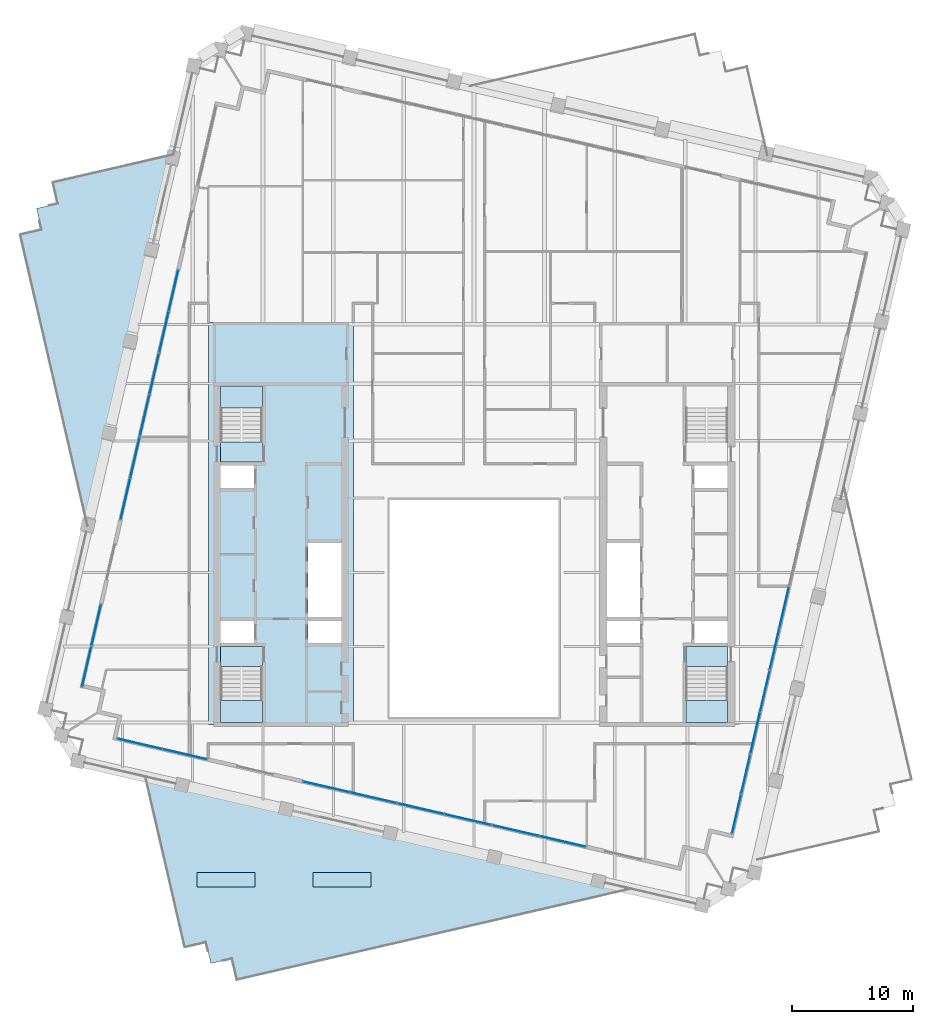
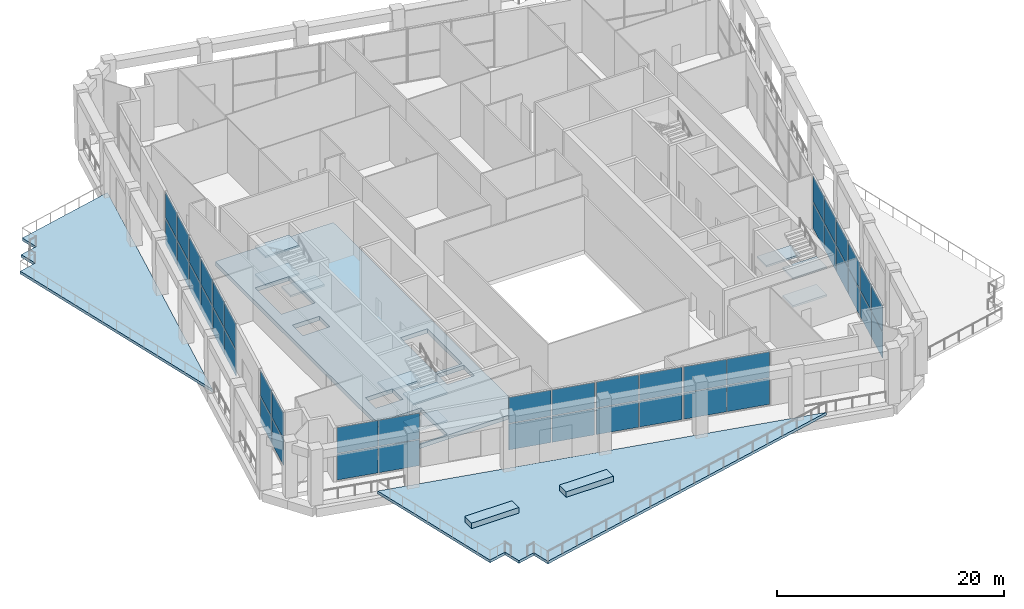
# One storey, part 10 of 21: 44 plates, 14 slabs, 14 elements without a shape of their own.
"""IFC4 building model written with IfcOpenShell, lengths in metres."""

import ifcopenshell
import ifcopenshell.guid

model = None  # the IFC model being written
_history = None  # IfcOwnerHistory: only IFC2X3 demands one
_inside = {}  # id of a spatial element -> (the spatial element, [elements in it])
_under = {}  # id of a project, library or spatial element -> (it, [spatial elements below it])
_declared = {}  # id of a project -> (the project, [libraries it declares])
_typed = {}  # id of a type object -> (the type object, [elements of that type])
_made_of = {}  # id of a material, layer set ... -> (it, [elements and type objects made of it])


def new_model(schema):
    """Start an empty IFC model of exactly this schema.

    Asked for "IFC4X3", IfcOpenShell would pick the latest addendum, in which some entities
    have other attributes; the version numbers below select the first issue.
    IFC2X3 requires an IfcOwnerHistory on every rooted entity: one is made here for all.
    """
    global model, _history
    if schema == "IFC4X3":
        model = ifcopenshell.file(schema_version=(4, 3, 0, 0))
    else:
        model = ifcopenshell.file(schema=schema)
    _inside.clear()
    _under.clear()
    _declared.clear()
    _typed.clear()
    _made_of.clear()
    _history = None
    if model.schema == "IFC2X3":
        org = make("IfcOrganization", Name="unknown")
        user = make(
            "IfcPersonAndOrganization",
            ThePerson=make("IfcPerson", FamilyName="unknown"),
            TheOrganization=org,
        )
        app = make(
            "IfcApplication",
            ApplicationDeveloper=org,
            Version="unknown",
            ApplicationFullName="unknown",
            ApplicationIdentifier="unknown",
        )
        _history = make(
            "IfcOwnerHistory",
            OwningUser=user,
            OwningApplication=app,
            ChangeAction="ADDED",
            CreationDate=0,
        )
    return model


def make(cls, **values):
    """One entity of the class cls with the attributes given. An attribute that is None is left unset."""
    return model.create_entity(
        cls, **{name: value for name, value in values.items() if value is not None}
    )


def rooted(cls, **values):
    """An entity with a GlobalId (a new one), such as an element, a storey or a relation."""
    return make(cls, GlobalId=ifcopenshell.guid.new(), OwnerHistory=_history, **values)


def si_unit(unit_type, name, prefix=None):
    """IfcSIUnit, for example si_unit("LENGTHUNIT", "METRE", prefix="MILLI")."""
    return make("IfcSIUnit", UnitType=unit_type, Prefix=prefix, Name=name)


def assignment(units):
    """IfcUnitAssignment: the units of a project."""
    return None if units is None else make("IfcUnitAssignment", Units=units)


def point(xyz):
    """IfcCartesianPoint."""
    return None if xyz is None else make("IfcCartesianPoint", Coordinates=xyz)


def direction(xyz):
    """IfcDirection."""
    return None if xyz is None else make("IfcDirection", DirectionRatios=xyz)


def frame(location, z_axis=None, x_axis=None):
    """IfcAxis2Placement3D, a coordinate frame: its origin and axes. An axis left out is left unset."""
    return make(
        "IfcAxis2Placement3D",
        Location=point(location),
        Axis=direction(z_axis),
        RefDirection=direction(x_axis),
    )


def frame_2d(location, x_axis=None):
    """IfcAxis2Placement2D, a coordinate frame in the plane: its origin and x axis."""
    return make(
        "IfcAxis2Placement2D", Location=point(location), RefDirection=direction(x_axis)
    )


def origin():
    """The frame at (0, 0, 0) with its axes left unset."""
    return frame((0.0, 0.0, 0.0))


def origin_2d():
    """The frame at (0, 0) in the plane with its x axis left unset."""
    return frame_2d((0.0, 0.0))


def place(relative_to, where):
    """IfcLocalPlacement: puts the frame where relative to a parent placement (None: the world)."""
    return make(
        "IfcLocalPlacement", PlacementRelTo=relative_to, RelativePlacement=where
    )


def context(
    kind, dimensions, precision=None, world=None, true_north=None, identifier=None
):
    """IfcGeometricRepresentationContext, for example the 3D "Model" context."""
    return make(
        "IfcGeometricRepresentationContext",
        ContextIdentifier=identifier,
        ContextType=kind,
        CoordinateSpaceDimension=dimensions,
        Precision=precision,
        WorldCoordinateSystem=world,
        TrueNorth=true_north,
    )


def subcontext(parent, identifier, kind, view, scale=None):
    """IfcGeometricRepresentationSubContext, for example "Body" below "Model"."""
    return make(
        "IfcGeometricRepresentationSubContext",
        ContextIdentifier=identifier,
        ContextType=kind,
        ParentContext=parent,
        TargetScale=scale,
        TargetView=view,
    )


def project(units=None, contexts=None):
    """IfcProject with its units and contexts."""
    return rooted(
        "IfcProject",
        Name="project",
        RepresentationContexts=contexts,
        UnitsInContext=assignment(units),
    )


def spatial(cls, under=None, at=None, **own):
    """A site, building, storey or space (cls), placed at a placement, below another one or the project."""
    s = rooted(cls, ObjectPlacement=at, **own)
    if under is not None:
        _under.setdefault(under.id(), (under, []))[1].append(s)
    return s


def polyline(points):
    """IfcPolyline through the points."""
    return make("IfcPolyline", Points=[point(p) for p in points])


def profile(cls, at=None, kind="AREA", **sizes):
    """A parametric profile (cls). Its sizes go by their IFC names, for example OverallWidth=200.0."""
    return make(cls, ProfileType=kind, Position=at, **sizes)


def rectangle(**sizes):
    """IfcRectangleProfileDef."""
    return profile("IfcRectangleProfileDef", **sizes)


def outline(outer, holes=None, kind="AREA"):
    """IfcArbitraryClosedProfileDef: a profile drawn as a closed curve; with holes, ...WithVoids."""
    if holes is None:
        return make("IfcArbitraryClosedProfileDef", ProfileType=kind, OuterCurve=outer)
    return make(
        "IfcArbitraryProfileDefWithVoids",
        ProfileType=kind,
        OuterCurve=outer,
        InnerCurves=holes,
    )


def extrude(swept, where, along, depth):
    """IfcExtrudedAreaSolid: the profile swept, set in the frame where, extruded along a direction by depth."""
    return make(
        "IfcExtrudedAreaSolid",
        SweptArea=swept,
        Position=where,
        ExtrudedDirection=direction(along),
        Depth=depth,
    )


def shape(context_of_items, identifier, shape_type, items):
    """IfcShapeRepresentation: the items that make up one representation, for example the "Body"."""
    return make(
        "IfcShapeRepresentation",
        ContextOfItems=context_of_items,
        RepresentationIdentifier=identifier,
        RepresentationType=shape_type,
        Items=items,
    )


def material(Name=None, Category=None):
    """IfcMaterial."""
    return make("IfcMaterial", Name=Name, Category=Category)


def layer(
    of_material, thickness, ventilated=None, Name=None, Category=None, Priority=None
):
    """IfcMaterialLayer: one layer of a wall or slab, of a material (None: an air gap)."""
    return make(
        "IfcMaterialLayer",
        Material=of_material,
        LayerThickness=thickness,
        IsVentilated=ventilated,
        Name=Name,
        Category=Category,
        Priority=Priority,
    )


def layer_set(layers, Name=None):
    """IfcMaterialLayerSet."""
    return make("IfcMaterialLayerSet", MaterialLayers=layers, LayerSetName=Name)


def made_of(thing, what):
    """Note that an element or type object is made of a material, layer set ...; save() writes the relation."""
    if what is not None:
        _made_of.setdefault(what.id(), (what, []))[1].append(thing)
    return thing


def type_object(cls, material=None, **own):
    """A type object (cls), such as IfcWallType, which elements share."""
    return made_of(rooted(cls, **own), material)


def element(
    cls,
    number,
    at=None,
    inside=None,
    cuts=None,
    type_object=None,
    material=None,
    context=None,
    identifier="Body",
    shape_type=None,
    held_by="IfcProductDefinitionShape",
    body=None,
    shapes=None,
    **own,
):
    """One element of the class cls, such as IfcWall. Its Tag is "e" and its number.

    at: its placement. inside: the storey or other place that contains it. cuts: it is an
    opening in that element (IfcRelVoidsElement). A single representation is given by context,
    identifier, shape_type and body (its items); several are given by shapes. held_by: the class
    of the entity that holds the representations. save() writes the other relations.
    """
    e = rooted(cls, Tag="e%d" % number, ObjectPlacement=at, **own)
    if body is not None:
        shapes = [shape(context, identifier, shape_type, body)]
    if shapes is not None:
        e.Representation = make(held_by, Representations=shapes)
    if inside is not None:
        _inside.setdefault(inside.id(), (inside, []))[1].append(e)
    if cuts is not None:
        rooted(
            "IfcRelVoidsElement", RelatingBuildingElement=cuts, RelatedOpeningElement=e
        )
    if type_object is not None:
        _typed.setdefault(type_object.id(), (type_object, []))[1].append(e)
    return made_of(e, material)


def aggregate(whole, parts):
    """IfcRelAggregates: a whole, such as a stair, and the parts it consists of."""
    return rooted("IfcRelAggregates", RelatingObject=whole, RelatedObjects=parts)


def save(model, path):
    """Write the relations noted so far, then the file.

    IfcRelAggregates (storeys below a building ...), IfcRelContainedInSpatialStructure (elements
    in a storey), IfcRelDefinesByType, IfcRelAssociatesMaterial and IfcRelDeclares: one each for
    every whole, place, type object, material and project.
    """
    for whole, parts in _under.values():
        aggregate(whole, parts)
    for where, things in _inside.values():
        rooted(
            "IfcRelContainedInSpatialStructure",
            RelatedElements=things,
            RelatingStructure=where,
        )
    for kind, things in _typed.values():
        rooted("IfcRelDefinesByType", RelatedObjects=things, RelatingType=kind)
    for what, things in _made_of.values():
        rooted("IfcRelAssociatesMaterial", RelatedObjects=things, RelatingMaterial=what)
    for by, libraries in _declared.values():
        rooted("IfcRelDeclares", RelatingContext=by, RelatedDefinitions=libraries)
    model.write(path)


model = new_model("IFC4")

# Units and contexts
model_context = context("Model", 3, precision=1e-05, world=origin(), true_north=direction((0.0, 1.0)))
body_context = subcontext(model_context, "Body", "Model", "MODEL_VIEW")
ifc_project = project(units=[si_unit("LENGTHUNIT", "METRE"), si_unit("AREAUNIT", "SQUARE_METRE"), si_unit("VOLUMEUNIT", "CUBIC_METRE"), si_unit("PLANEANGLEUNIT", "RADIAN"), si_unit("MASSUNIT", "GRAM", prefix="KILO")], contexts=[model_context])

# Site, building, storey
site_placement = place(None, origin())
site = spatial("IfcSite", under=ifc_project, at=site_placement, CompositionType="ELEMENT")
building_placement = place(site_placement, origin())
building = spatial("IfcBuilding", under=site, at=building_placement, Name="Ogive Exchange Tower", CompositionType="ELEMENT")
storey_placement = place(building_placement, frame((0.0, 0.0, 237.0)))
storey = spatial("IfcBuildingStorey", under=building, at=storey_placement, Name="L51", CompositionType="ELEMENT", Elevation=237.0)

# Slab
ifc_material_1 = material(Name="Concrete C70/85", Category="concrete")
ifc_layer_1 = layer(ifc_material_1, 0.449951171875)
ifc_layer_set_1 = layer_set([ifc_layer_1], Name="Core floor slab 450")
slab_type_1 = type_object("IfcSlabType", Name="Core floor slab 450", PredefinedType="FLOOR", material=ifc_layer_set_1)
slab_1_placement = place(storey_placement, frame((0.0, 0.0, -0.449951171875)))
element("IfcSlab", 1, at=slab_1_placement, inside=storey, type_object=slab_type_1, Name="Core floor slab", PredefinedType="FLOOR", context=body_context, shape_type="SweptSolid", body=[
    extrude(outline(polyline([(-22.0, -2.60009765625), (-22.0, 30.699951171875), (-10.0, 30.699951171875), (-10.0, -2.60009765625), (-22.0, -2.60009765625)]), holes=[polyline([(-17.550048828125, 2.196044921875), (-21.0, 2.196044921875), (-21.0, -2.449951171875), (-17.550048828125, -2.449951171875), (-17.550048828125, 2.196044921875)]), polyline([(-18.25, 5.992919921875), (-21.0, 5.992919921875), (-21.0, 4.14990234375), (-18.25, 4.14990234375), (-18.25, 5.992919921875)]), polyline([(-11.0, 5.992919921875), (-13.75, 5.992919921875), (-13.75, 4.14990234375), (-11.0, 4.14990234375), (-11.0, 5.992919921875)]), polyline([(-13.75, 12.42138671875), (-13.75, 6.29296875), (-11.0, 6.29296875), (-11.0, 12.42138671875), (-13.75, 12.42138671875)]), polyline([(-18.25, 18.85009765625), (-21.0, 18.85009765625), (-21.0, 17.007080078125), (-18.25, 17.007080078125), (-18.25, 18.85009765625)]), polyline([(-21.0, 25.449951171875), (-21.0, 20.803955078125), (-17.550048828125, 20.803955078125), (-17.550048828125, 25.449951171875), (-21.0, 25.449951171875)])]), origin(), (0.0, 0.0, 1.0), 0.449951171875),
])

# Curtain wall, plates
ifc_material_2 = material(Name="Anodised aluminium and clear glass", Category="aluminium")
curtain_wall_type = type_object("IfcCurtainWallType", Name="Winter garden glazing", PredefinedType="NOTDEFINED", material=ifc_material_2)
curtain_wall_1_placement = place(storey_placement, origin())
curtain_wall_1 = element("IfcCurtainWall", 2, at=curtain_wall_1_placement, inside=storey, type_object=curtain_wall_type, Name="Winter garden glazing run G1", PredefinedType="NOTDEFINED")
ifc_material_3 = material(Name="Clear glass", Category="glass")
ifc_layer_2 = layer(ifc_material_3, 0.035888671875)
ifc_layer_set_2 = layer_set([ifc_layer_2], Name="Laminated clear glass panel 36")
plate_type = type_object("IfcPlateType", Name="Laminated clear glass panel 36", PredefinedType="CURTAIN_PANEL", material=ifc_layer_set_2)
plate_1_placement = place(storey_placement, frame((-27.708740234375, -4.19873046875, 0.080078125), z_axis=(0.0, 0.0, 1.0), x_axis=(0.974369444232, -0.224953742238, 0.0)))
plate_1 = element("IfcPlate", 3, at=plate_1_placement, type_object=plate_type, Name="G1 panel 1.1", PredefinedType="CURTAIN_PANEL", context=body_context, shape_type="SweptSolid", body=[
    extrude(rectangle(XDim=3.755126953125, YDim=0.035888671875, at=origin_2d()), origin(), (0.0, 0.0, 1.0), 2.780029296875),
])
plate_2_placement = place(storey_placement, frame((-27.708740234375, -4.19873046875, 2.93994140625), z_axis=(0.0, 0.0, 1.0), x_axis=(0.974369444232, -0.224953742238, 0.0)))
plate_2 = element("IfcPlate", 4, at=plate_2_placement, type_object=plate_type, Name="G1 panel 1.2", PredefinedType="CURTAIN_PANEL", context=body_context, shape_type="SweptSolid", body=[
    extrude(rectangle(XDim=3.755126953125, YDim=0.035888671875, at=origin_2d()), origin(), (0.0, 0.0, 1.0), 2.780029296875),
])
plate_3_placement = place(storey_placement, frame((-23.971923828125, -5.061279296875, 0.080078125), z_axis=(0.0, 0.0, 1.0), x_axis=(0.974369444232, -0.224953742238, 0.0)))
plate_3 = element("IfcPlate", 5, at=plate_3_placement, type_object=plate_type, Name="G1 panel 2.1", PredefinedType="CURTAIN_PANEL", context=body_context, shape_type="SweptSolid", body=[
    extrude(rectangle(XDim=3.755126953125, YDim=0.035888671875, at=origin_2d()), origin(), (0.0, 0.0, 1.0), 2.780029296875),
])
plate_4_placement = place(storey_placement, frame((-23.971923828125, -5.061279296875, 2.93994140625), z_axis=(0.0, 0.0, 1.0), x_axis=(0.974369444232, -0.224953742238, 0.0)))
plate_4 = element("IfcPlate", 6, at=plate_4_placement, type_object=plate_type, Name="G1 panel 2.2", PredefinedType="CURTAIN_PANEL", context=body_context, shape_type="SweptSolid", body=[
    extrude(rectangle(XDim=3.755126953125, YDim=0.035888671875, at=origin_2d()), origin(), (0.0, 0.0, 1.0), 2.780029296875),
])
aggregate(curtain_wall_1, [plate_1, plate_2, plate_3, plate_4])

curtain_wall_2_placement = place(storey_placement, origin())
curtain_wall_2 = element("IfcCurtainWall", 7, at=curtain_wall_2_placement, inside=storey, type_object=curtain_wall_type, Name="Winter garden glazing run G3", PredefinedType="NOTDEFINED")
plate_5_placement = place(storey_placement, frame((-12.24072265625, -7.769775390625, 0.080078125), z_axis=(0.0, 0.0, 1.0), x_axis=(0.974368369632, -0.224958396731, 0.0)))
plate_5 = element("IfcPlate", 8, at=plate_5_placement, type_object=plate_type, Name="G3 panel 1.1", PredefinedType="CURTAIN_PANEL", context=body_context, shape_type="SweptSolid", body=[
    extrude(rectangle(XDim=3.905029296875, YDim=0.035888671875, at=origin_2d()), origin(), (0.0, 0.0, 1.0), 2.780029296875),
])
plate_6_placement = place(storey_placement, frame((-12.24072265625, -7.769775390625, 2.93994140625), z_axis=(0.0, 0.0, 1.0), x_axis=(0.974368369632, -0.224958396731, 0.0)))
plate_6 = element("IfcPlate", 9, at=plate_6_placement, type_object=plate_type, Name="G3 panel 1.2", PredefinedType="CURTAIN_PANEL", context=body_context, shape_type="SweptSolid", body=[
    extrude(rectangle(XDim=3.905029296875, YDim=0.035888671875, at=origin_2d()), origin(), (0.0, 0.0, 1.0), 2.780029296875),
])
plate_7_placement = place(storey_placement, frame((-8.357666015625, -8.666259765625, 0.080078125), z_axis=(0.0, 0.0, 1.0), x_axis=(0.974368369632, -0.224958396731, 0.0)))
plate_7 = element("IfcPlate", 10, at=plate_7_placement, type_object=plate_type, Name="G3 panel 2.1", PredefinedType="CURTAIN_PANEL", context=body_context, shape_type="SweptSolid", body=[
    extrude(rectangle(XDim=3.905029296875, YDim=0.035888671875, at=origin_2d()), origin(), (0.0, 0.0, 1.0), 2.780029296875),
])
plate_8_placement = place(storey_placement, frame((-8.357666015625, -8.666259765625, 2.93994140625), z_axis=(0.0, 0.0, 1.0), x_axis=(0.974368369632, -0.224958396731, 0.0)))
plate_8 = element("IfcPlate", 11, at=plate_8_placement, type_object=plate_type, Name="G3 panel 2.2", PredefinedType="CURTAIN_PANEL", context=body_context, shape_type="SweptSolid", body=[
    extrude(rectangle(XDim=3.905029296875, YDim=0.035888671875, at=origin_2d()), origin(), (0.0, 0.0, 1.0), 2.780029296875),
])
aggregate(curtain_wall_2, [plate_5, plate_6, plate_7, plate_8])

curtain_wall_3_placement = place(storey_placement, origin())
curtain_wall_3 = element("IfcCurtainWall", 12, at=curtain_wall_3_placement, inside=storey, type_object=curtain_wall_type, Name="Winter garden glazing run G4", PredefinedType="NOTDEFINED")
plate_9_placement = place(storey_placement, frame((-4.39697265625, -9.58056640625, 0.080078125), z_axis=(0.0, 0.0, 1.0), x_axis=(0.974371721058, -0.224943880116, 0.0)))
plate_9 = element("IfcPlate", 13, at=plate_9_placement, type_object=plate_type, Name="G4 panel 1.1", PredefinedType="CURTAIN_PANEL", context=body_context, shape_type="SweptSolid", body=[
    extrude(rectangle(XDim=3.905029296875, YDim=0.035888671875, at=origin_2d()), origin(), (0.0, 0.0, 1.0), 2.780029296875),
])
plate_10_placement = place(storey_placement, frame((-4.39697265625, -9.58056640625, 2.93994140625), z_axis=(0.0, 0.0, 1.0), x_axis=(0.974371721058, -0.224943880116, 0.0)))
plate_10 = element("IfcPlate", 14, at=plate_10_placement, type_object=plate_type, Name="G4 panel 1.2", PredefinedType="CURTAIN_PANEL", context=body_context, shape_type="SweptSolid", body=[
    extrude(rectangle(XDim=3.905029296875, YDim=0.035888671875, at=origin_2d()), origin(), (0.0, 0.0, 1.0), 2.780029296875),
])
plate_11_placement = place(storey_placement, frame((-0.51416015625, -10.47705078125, 0.080078125), z_axis=(0.0, 0.0, 1.0), x_axis=(0.974371721058, -0.224943880116, 0.0)))
plate_11 = element("IfcPlate", 15, at=plate_11_placement, type_object=plate_type, Name="G4 panel 2.1", PredefinedType="CURTAIN_PANEL", context=body_context, shape_type="SweptSolid", body=[
    extrude(rectangle(XDim=3.905029296875, YDim=0.035888671875, at=origin_2d()), origin(), (0.0, 0.0, 1.0), 2.780029296875),
])
plate_12_placement = place(storey_placement, frame((-0.51416015625, -10.47705078125, 2.93994140625), z_axis=(0.0, 0.0, 1.0), x_axis=(0.974371721058, -0.224943880116, 0.0)))
plate_12 = element("IfcPlate", 16, at=plate_12_placement, type_object=plate_type, Name="G4 panel 2.2", PredefinedType="CURTAIN_PANEL", context=body_context, shape_type="SweptSolid", body=[
    extrude(rectangle(XDim=3.905029296875, YDim=0.035888671875, at=origin_2d()), origin(), (0.0, 0.0, 1.0), 2.780029296875),
])
aggregate(curtain_wall_3, [plate_9, plate_10, plate_11, plate_12])

curtain_wall_4_placement = place(storey_placement, origin())
curtain_wall_4 = element("IfcCurtainWall", 17, at=curtain_wall_4_placement, inside=storey, type_object=curtain_wall_type, Name="Winter garden glazing run G5", PredefinedType="NOTDEFINED")
plate_13_placement = place(storey_placement, frame((3.44677734375, -11.391357421875, 0.080078125), z_axis=(0.0, 0.0, 1.0), x_axis=(0.974368998279, -0.224955673842, 0.0)))
plate_13 = element("IfcPlate", 18, at=plate_13_placement, type_object=plate_type, Name="G5 panel 1.1", PredefinedType="CURTAIN_PANEL", context=body_context, shape_type="SweptSolid", body=[
    extrude(rectangle(XDim=3.905029296875, YDim=0.035888671875, at=origin_2d()), origin(), (0.0, 0.0, 1.0), 2.780029296875),
])
plate_14_placement = place(storey_placement, frame((3.44677734375, -11.391357421875, 2.93994140625), z_axis=(0.0, 0.0, 1.0), x_axis=(0.974368998279, -0.224955673842, 0.0)))
plate_14 = element("IfcPlate", 19, at=plate_14_placement, type_object=plate_type, Name="G5 panel 1.2", PredefinedType="CURTAIN_PANEL", context=body_context, shape_type="SweptSolid", body=[
    extrude(rectangle(XDim=3.905029296875, YDim=0.035888671875, at=origin_2d()), origin(), (0.0, 0.0, 1.0), 2.780029296875),
])
plate_15_placement = place(storey_placement, frame((7.32958984375, -12.287841796875, 0.080078125), z_axis=(0.0, 0.0, 1.0), x_axis=(0.974368998279, -0.224955673842, 0.0)))
plate_15 = element("IfcPlate", 20, at=plate_15_placement, type_object=plate_type, Name="G5 panel 2.1", PredefinedType="CURTAIN_PANEL", context=body_context, shape_type="SweptSolid", body=[
    extrude(rectangle(XDim=3.905029296875, YDim=0.035888671875, at=origin_2d()), origin(), (0.0, 0.0, 1.0), 2.780029296875),
])
plate_16_placement = place(storey_placement, frame((7.32958984375, -12.287841796875, 2.93994140625), z_axis=(0.0, 0.0, 1.0), x_axis=(0.974368998279, -0.224955673842, 0.0)))
plate_16 = element("IfcPlate", 21, at=plate_16_placement, type_object=plate_type, Name="G5 panel 2.2", PredefinedType="CURTAIN_PANEL", context=body_context, shape_type="SweptSolid", body=[
    extrude(rectangle(XDim=3.905029296875, YDim=0.035888671875, at=origin_2d()), origin(), (0.0, 0.0, 1.0), 2.780029296875),
])
aggregate(curtain_wall_4, [plate_13, plate_14, plate_15, plate_16])

curtain_wall_5_placement = place(storey_placement, origin())
curtain_wall_5 = element("IfcCurtainWall", 22, at=curtain_wall_5_placement, inside=storey, type_object=curtain_wall_type, Name="Winter garden glazing run G7", PredefinedType="NOTDEFINED")
plate_17_placement = place(storey_placement, frame((21.74658203125, -9.998779296875, 0.080078125), z_axis=(0.0, 0.0, 1.0), x_axis=(0.224951677306, 0.974369920963, 0.0)))
plate_17 = element("IfcPlate", 23, at=plate_17_placement, type_object=plate_type, Name="G7 panel 1.1", PredefinedType="CURTAIN_PANEL", context=body_context, shape_type="SweptSolid", body=[
    extrude(rectangle(XDim=3.287109375, YDim=0.035888671875, at=origin_2d()), origin(), (0.0, 0.0, 1.0), 2.780029296875),
])
plate_18_placement = place(storey_placement, frame((21.74658203125, -9.998779296875, 2.93994140625), z_axis=(0.0, 0.0, 1.0), x_axis=(0.224951677306, 0.974369920963, 0.0)))
plate_18 = element("IfcPlate", 24, at=plate_18_placement, type_object=plate_type, Name="G7 panel 1.2", PredefinedType="CURTAIN_PANEL", context=body_context, shape_type="SweptSolid", body=[
    extrude(rectangle(XDim=3.287109375, YDim=0.035888671875, at=origin_2d()), origin(), (0.0, 0.0, 1.0), 2.780029296875),
])
plate_19_placement = place(storey_placement, frame((22.50390625, -6.718017578125, 0.080078125), z_axis=(0.0, 0.0, 1.0), x_axis=(0.224951677306, 0.974369920963, 0.0)))
plate_19 = element("IfcPlate", 25, at=plate_19_placement, type_object=plate_type, Name="G7 panel 2.1", PredefinedType="CURTAIN_PANEL", context=body_context, shape_type="SweptSolid", body=[
    extrude(rectangle(XDim=3.287109375, YDim=0.035888671875, at=origin_2d()), origin(), (0.0, 0.0, 1.0), 2.780029296875),
])
plate_20_placement = place(storey_placement, frame((22.50390625, -6.718017578125, 2.93994140625), z_axis=(0.0, 0.0, 1.0), x_axis=(0.224951677306, 0.974369920963, 0.0)))
plate_20 = element("IfcPlate", 26, at=plate_20_placement, type_object=plate_type, Name="G7 panel 2.2", PredefinedType="CURTAIN_PANEL", context=body_context, shape_type="SweptSolid", body=[
    extrude(rectangle(XDim=3.287109375, YDim=0.035888671875, at=origin_2d()), origin(), (0.0, 0.0, 1.0), 2.780029296875),
])
aggregate(curtain_wall_5, [plate_17, plate_18, plate_19, plate_20])

curtain_wall_6_placement = place(storey_placement, origin())
curtain_wall_6 = element("IfcCurtainWall", 27, at=curtain_wall_6_placement, inside=storey, type_object=curtain_wall_type, Name="Winter garden glazing run G8", PredefinedType="NOTDEFINED")
plate_21_placement = place(storey_placement, frame((23.29638671875, -3.2861328125, 0.080078125), z_axis=(0.0, 0.0, 1.0), x_axis=(0.224957031035, 0.974368684938, 0.0)))
plate_21 = element("IfcPlate", 28, at=plate_21_placement, type_object=plate_type, Name="G8 panel 1.1", PredefinedType="CURTAIN_PANEL", context=body_context, shape_type="SweptSolid", body=[
    extrude(rectangle(XDim=3.43701171875, YDim=0.035888671875, at=origin_2d()), origin(), (0.0, 0.0, 1.0), 2.780029296875),
])
plate_22_placement = place(storey_placement, frame((23.29638671875, -3.2861328125, 2.93994140625), z_axis=(0.0, 0.0, 1.0), x_axis=(0.224957031035, 0.974368684938, 0.0)))
plate_22 = element("IfcPlate", 29, at=plate_22_placement, type_object=plate_type, Name="G8 panel 1.2", PredefinedType="CURTAIN_PANEL", context=body_context, shape_type="SweptSolid", body=[
    extrude(rectangle(XDim=3.43701171875, YDim=0.035888671875, at=origin_2d()), origin(), (0.0, 0.0, 1.0), 2.780029296875),
])
plate_23_placement = place(storey_placement, frame((24.08740234375, 0.140869140625, 0.080078125), z_axis=(0.0, 0.0, 1.0), x_axis=(0.224957031035, 0.974368684938, 0.0)))
plate_23 = element("IfcPlate", 30, at=plate_23_placement, type_object=plate_type, Name="G8 panel 2.1", PredefinedType="CURTAIN_PANEL", context=body_context, shape_type="SweptSolid", body=[
    extrude(rectangle(XDim=3.43701171875, YDim=0.035888671875, at=origin_2d()), origin(), (0.0, 0.0, 1.0), 2.780029296875),
])
plate_24_placement = place(storey_placement, frame((24.08740234375, 0.140869140625, 2.93994140625), z_axis=(0.0, 0.0, 1.0), x_axis=(0.224957031035, 0.974368684938, 0.0)))
plate_24 = element("IfcPlate", 31, at=plate_24_placement, type_object=plate_type, Name="G8 panel 2.2", PredefinedType="CURTAIN_PANEL", context=body_context, shape_type="SweptSolid", body=[
    extrude(rectangle(XDim=3.43701171875, YDim=0.035888671875, at=origin_2d()), origin(), (0.0, 0.0, 1.0), 2.780029296875),
])
aggregate(curtain_wall_6, [plate_21, plate_22, plate_23, plate_24])

curtain_wall_7_placement = place(storey_placement, origin())
curtain_wall_7 = element("IfcCurtainWall", 32, at=curtain_wall_7_placement, inside=storey, type_object=curtain_wall_type, Name="Winter garden glazing run G9", PredefinedType="NOTDEFINED")
plate_25_placement = place(storey_placement, frame((24.896728515625, 3.64599609375, 0.080078125), z_axis=(0.0, 0.0, 1.0), x_axis=(0.224940605185, 0.974372477105, 0.0)))
plate_25 = element("IfcPlate", 33, at=plate_25_placement, type_object=plate_type, Name="G9 panel 1.1", PredefinedType="CURTAIN_PANEL", context=body_context, shape_type="SweptSolid", body=[
    extrude(rectangle(XDim=3.437255859375, YDim=0.035888671875, at=origin_2d()), origin(), (0.0, 0.0, 1.0), 2.780029296875),
])
plate_26_placement = place(storey_placement, frame((24.896728515625, 3.64599609375, 2.93994140625), z_axis=(0.0, 0.0, 1.0), x_axis=(0.224940605185, 0.974372477105, 0.0)))
plate_26 = element("IfcPlate", 34, at=plate_26_placement, type_object=plate_type, Name="G9 panel 1.2", PredefinedType="CURTAIN_PANEL", context=body_context, shape_type="SweptSolid", body=[
    extrude(rectangle(XDim=3.437255859375, YDim=0.035888671875, at=origin_2d()), origin(), (0.0, 0.0, 1.0), 2.780029296875),
])
plate_27_placement = place(storey_placement, frame((25.687744140625, 7.072998046875, 0.080078125), z_axis=(0.0, 0.0, 1.0), x_axis=(0.224940605185, 0.974372477105, 0.0)))
plate_27 = element("IfcPlate", 35, at=plate_27_placement, type_object=plate_type, Name="G9 panel 2.1", PredefinedType="CURTAIN_PANEL", context=body_context, shape_type="SweptSolid", body=[
    extrude(rectangle(XDim=3.437255859375, YDim=0.035888671875, at=origin_2d()), origin(), (0.0, 0.0, 1.0), 2.780029296875),
])
plate_28_placement = place(storey_placement, frame((25.687744140625, 7.072998046875, 2.93994140625), z_axis=(0.0, 0.0, 1.0), x_axis=(0.224940605185, 0.974372477105, 0.0)))
plate_28 = element("IfcPlate", 36, at=plate_28_placement, type_object=plate_type, Name="G9 panel 2.2", PredefinedType="CURTAIN_PANEL", context=body_context, shape_type="SweptSolid", body=[
    extrude(rectangle(XDim=3.437255859375, YDim=0.035888671875, at=origin_2d()), origin(), (0.0, 0.0, 1.0), 2.780029296875),
])
aggregate(curtain_wall_7, [plate_25, plate_26, plate_27, plate_28])

curtain_wall_8_placement = place(storey_placement, origin())
curtain_wall_8 = element("IfcCurtainWall", 37, at=curtain_wall_8_placement, inside=storey, type_object=curtain_wall_type, Name="Winter garden glazing run G22", PredefinedType="NOTDEFINED")
plate_29_placement = place(storey_placement, frame((-24.896728515625, 33.35400390625, 0.080078125), z_axis=(0.0, 0.0, 1.0), x_axis=(-0.224940605185, -0.974372477105, 0.0)))
plate_29 = element("IfcPlate", 38, at=plate_29_placement, type_object=plate_type, Name="G22 panel 1.1", PredefinedType="CURTAIN_PANEL", context=body_context, shape_type="SweptSolid", body=[
    extrude(rectangle(XDim=3.437255859375, YDim=0.035888671875, at=origin_2d()), origin(), (0.0, 0.0, 1.0), 2.780029296875),
])
plate_30_placement = place(storey_placement, frame((-24.896728515625, 33.35400390625, 2.93994140625), z_axis=(0.0, 0.0, 1.0), x_axis=(-0.224940605185, -0.974372477105, 0.0)))
plate_30 = element("IfcPlate", 39, at=plate_30_placement, type_object=plate_type, Name="G22 panel 1.2", PredefinedType="CURTAIN_PANEL", context=body_context, shape_type="SweptSolid", body=[
    extrude(rectangle(XDim=3.437255859375, YDim=0.035888671875, at=origin_2d()), origin(), (0.0, 0.0, 1.0), 2.780029296875),
])
plate_31_placement = place(storey_placement, frame((-25.687744140625, 29.927001953125, 0.080078125), z_axis=(0.0, 0.0, 1.0), x_axis=(-0.224940605185, -0.974372477105, 0.0)))
plate_31 = element("IfcPlate", 40, at=plate_31_placement, type_object=plate_type, Name="G22 panel 2.1", PredefinedType="CURTAIN_PANEL", context=body_context, shape_type="SweptSolid", body=[
    extrude(rectangle(XDim=3.437255859375, YDim=0.035888671875, at=origin_2d()), origin(), (0.0, 0.0, 1.0), 2.780029296875),
])
plate_32_placement = place(storey_placement, frame((-25.687744140625, 29.927001953125, 2.93994140625), z_axis=(0.0, 0.0, 1.0), x_axis=(-0.224940605185, -0.974372477105, 0.0)))
plate_32 = element("IfcPlate", 41, at=plate_32_placement, type_object=plate_type, Name="G22 panel 2.2", PredefinedType="CURTAIN_PANEL", context=body_context, shape_type="SweptSolid", body=[
    extrude(rectangle(XDim=3.437255859375, YDim=0.035888671875, at=origin_2d()), origin(), (0.0, 0.0, 1.0), 2.780029296875),
])
aggregate(curtain_wall_8, [plate_29, plate_30, plate_31, plate_32])

curtain_wall_9_placement = place(storey_placement, origin())
curtain_wall_9 = element("IfcCurtainWall", 42, at=curtain_wall_9_placement, inside=storey, type_object=curtain_wall_type, Name="Winter garden glazing run G23", PredefinedType="NOTDEFINED")
plate_33_placement = place(storey_placement, frame((-26.4970703125, 26.422119140625, 0.080078125), z_axis=(0.0, 0.0, 1.0), x_axis=(-0.224957031035, -0.974368684938, 0.0)))
plate_33 = element("IfcPlate", 43, at=plate_33_placement, type_object=plate_type, Name="G23 panel 1.1", PredefinedType="CURTAIN_PANEL", context=body_context, shape_type="SweptSolid", body=[
    extrude(rectangle(XDim=3.43701171875, YDim=0.035888671875, at=origin_2d()), origin(), (0.0, 0.0, 1.0), 2.780029296875),
])
plate_34_placement = place(storey_placement, frame((-26.4970703125, 26.422119140625, 2.93994140625), z_axis=(0.0, 0.0, 1.0), x_axis=(-0.224957031035, -0.974368684938, 0.0)))
plate_34 = element("IfcPlate", 44, at=plate_34_placement, type_object=plate_type, Name="G23 panel 1.2", PredefinedType="CURTAIN_PANEL", context=body_context, shape_type="SweptSolid", body=[
    extrude(rectangle(XDim=3.43701171875, YDim=0.035888671875, at=origin_2d()), origin(), (0.0, 0.0, 1.0), 2.780029296875),
])
plate_35_placement = place(storey_placement, frame((-27.2880859375, 22.9951171875, 0.080078125), z_axis=(0.0, 0.0, 1.0), x_axis=(-0.224957031035, -0.974368684938, 0.0)))
plate_35 = element("IfcPlate", 45, at=plate_35_placement, type_object=plate_type, Name="G23 panel 2.1", PredefinedType="CURTAIN_PANEL", context=body_context, shape_type="SweptSolid", body=[
    extrude(rectangle(XDim=3.43701171875, YDim=0.035888671875, at=origin_2d()), origin(), (0.0, 0.0, 1.0), 2.780029296875),
])
plate_36_placement = place(storey_placement, frame((-27.2880859375, 22.9951171875, 2.93994140625), z_axis=(0.0, 0.0, 1.0), x_axis=(-0.224957031035, -0.974368684938, 0.0)))
plate_36 = element("IfcPlate", 46, at=plate_36_placement, type_object=plate_type, Name="G23 panel 2.2", PredefinedType="CURTAIN_PANEL", context=body_context, shape_type="SweptSolid", body=[
    extrude(rectangle(XDim=3.43701171875, YDim=0.035888671875, at=origin_2d()), origin(), (0.0, 0.0, 1.0), 2.780029296875),
])
aggregate(curtain_wall_9, [plate_33, plate_34, plate_35, plate_36])

curtain_wall_10_placement = place(storey_placement, origin())
curtain_wall_10 = element("IfcCurtainWall", 47, at=curtain_wall_10_placement, inside=storey, type_object=curtain_wall_type, Name="Winter garden glazing run G24", PredefinedType="NOTDEFINED")
plate_37_placement = place(storey_placement, frame((-28.097412109375, 19.490234375, 0.080078125), z_axis=(0.0, 0.0, 1.0), x_axis=(-0.224953950051, -0.974369396254, 0.0)))
plate_37 = element("IfcPlate", 48, at=plate_37_placement, type_object=plate_type, Name="G24 panel 1.1", PredefinedType="CURTAIN_PANEL", context=body_context, shape_type="SweptSolid", body=[
    extrude(rectangle(XDim=3.437255859375, YDim=0.035888671875, at=origin_2d()), origin(), (0.0, 0.0, 1.0), 2.780029296875),
])
plate_38_placement = place(storey_placement, frame((-28.097412109375, 19.490234375, 2.93994140625), z_axis=(0.0, 0.0, 1.0), x_axis=(-0.224953950051, -0.974369396254, 0.0)))
plate_38 = element("IfcPlate", 49, at=plate_38_placement, type_object=plate_type, Name="G24 panel 1.2", PredefinedType="CURTAIN_PANEL", context=body_context, shape_type="SweptSolid", body=[
    extrude(rectangle(XDim=3.437255859375, YDim=0.035888671875, at=origin_2d()), origin(), (0.0, 0.0, 1.0), 2.780029296875),
])
plate_39_placement = place(storey_placement, frame((-28.888671875, 16.063232421875, 0.080078125), z_axis=(0.0, 0.0, 1.0), x_axis=(-0.224953950051, -0.974369396254, 0.0)))
plate_39 = element("IfcPlate", 50, at=plate_39_placement, type_object=plate_type, Name="G24 panel 2.1", PredefinedType="CURTAIN_PANEL", context=body_context, shape_type="SweptSolid", body=[
    extrude(rectangle(XDim=3.437255859375, YDim=0.035888671875, at=origin_2d()), origin(), (0.0, 0.0, 1.0), 2.780029296875),
])
plate_40_placement = place(storey_placement, frame((-28.888671875, 16.063232421875, 2.93994140625), z_axis=(0.0, 0.0, 1.0), x_axis=(-0.224953950051, -0.974369396254, 0.0)))
plate_40 = element("IfcPlate", 51, at=plate_40_placement, type_object=plate_type, Name="G24 panel 2.2", PredefinedType="CURTAIN_PANEL", context=body_context, shape_type="SweptSolid", body=[
    extrude(rectangle(XDim=3.437255859375, YDim=0.035888671875, at=origin_2d()), origin(), (0.0, 0.0, 1.0), 2.780029296875),
])
aggregate(curtain_wall_10, [plate_37, plate_38, plate_39, plate_40])

curtain_wall_11_placement = place(storey_placement, origin())
curtain_wall_11 = element("IfcCurtainWall", 52, at=curtain_wall_11_placement, inside=storey, type_object=curtain_wall_type, Name="Winter garden glazing run G26", PredefinedType="NOTDEFINED")
plate_41_placement = place(storey_placement, frame((-31.298095703125, 5.626220703125, 0.080078125), z_axis=(0.0, 0.0, 1.0), x_axis=(-0.224953950051, -0.974369396254, 0.0)))
plate_41 = element("IfcPlate", 53, at=plate_41_placement, type_object=plate_type, Name="G26 panel 1.1", PredefinedType="CURTAIN_PANEL", context=body_context, shape_type="SweptSolid", body=[
    extrude(rectangle(XDim=3.437255859375, YDim=0.035888671875, at=origin_2d()), origin(), (0.0, 0.0, 1.0), 2.780029296875),
])
plate_42_placement = place(storey_placement, frame((-31.298095703125, 5.626220703125, 2.93994140625), z_axis=(0.0, 0.0, 1.0), x_axis=(-0.224953950051, -0.974369396254, 0.0)))
plate_42 = element("IfcPlate", 54, at=plate_42_placement, type_object=plate_type, Name="G26 panel 1.2", PredefinedType="CURTAIN_PANEL", context=body_context, shape_type="SweptSolid", body=[
    extrude(rectangle(XDim=3.437255859375, YDim=0.035888671875, at=origin_2d()), origin(), (0.0, 0.0, 1.0), 2.780029296875),
])
plate_43_placement = place(storey_placement, frame((-32.08935546875, 2.19921875, 0.080078125), z_axis=(0.0, 0.0, 1.0), x_axis=(-0.224953950051, -0.974369396254, 0.0)))
plate_43 = element("IfcPlate", 55, at=plate_43_placement, type_object=plate_type, Name="G26 panel 2.1", PredefinedType="CURTAIN_PANEL", context=body_context, shape_type="SweptSolid", body=[
    extrude(rectangle(XDim=3.437255859375, YDim=0.035888671875, at=origin_2d()), origin(), (0.0, 0.0, 1.0), 2.780029296875),
])
plate_44_placement = place(storey_placement, frame((-32.08935546875, 2.19921875, 2.93994140625), z_axis=(0.0, 0.0, 1.0), x_axis=(-0.224953950051, -0.974369396254, 0.0)))
plate_44 = element("IfcPlate", 56, at=plate_44_placement, type_object=plate_type, Name="G26 panel 2.2", PredefinedType="CURTAIN_PANEL", context=body_context, shape_type="SweptSolid", body=[
    extrude(rectangle(XDim=3.437255859375, YDim=0.035888671875, at=origin_2d()), origin(), (0.0, 0.0, 1.0), 2.780029296875),
])
aggregate(curtain_wall_11, [plate_41, plate_42, plate_43, plate_44])

# Slabs
ifc_material_4 = material(Name="Precast concrete C40/50", Category="concrete")
ifc_layer_3 = layer(ifc_material_4, 0.60009765625)
ifc_layer_set_3 = layer_set([ifc_layer_3], Name="Planter box 4800 x 1200")
slab_type_2 = type_object("IfcSlabType", Name="Planter box 4800 x 1200", PredefinedType="USERDEFINED", material=ifc_layer_set_3)
for number, where, z_axis, x_axis, name in (
    (57, (-20.559814453125, -15.47021484375, 0.0), (0.0, 0.0, 1.0), (1.0, 0.0, 0.0), "PLANTER 1"),
    (58, (-10.959716796875, -15.47021484375, 0.0), (0.0, 0.0, 1.0), (1.0, 0.0, 0.0), "PLANTER 2"),
):
    element("IfcSlab", number, at=place(storey_placement, frame(where, z_axis=z_axis, x_axis=x_axis)), inside=storey, type_object=slab_type_2, Name=name, ObjectType="PLANTER", PredefinedType="USERDEFINED", context=body_context, shape_type="SweptSolid", body=[
        extrude(rectangle(XDim=4.800048828125, YDim=1.199951171875, at=origin_2d()), origin(), (0.0, 0.0, 1.0), 0.60009765625),
    ])

# Stair, slabs
ifc_material_5 = material(Name="Concrete C40/50", Category="concrete")
stair_type = type_object("IfcStairType", Name="Exit stair 1650 wide", PredefinedType="HALF_TURN_STAIR", material=ifc_material_5)
stair_1_placement = place(storey_placement, origin())
stair_1 = element("IfcStair", 59, at=stair_1_placement, inside=storey, type_object=stair_type, Name="L51 exit stair ST1", PredefinedType="HALF_TURN_STAIR")
ifc_layer_4 = layer(ifc_material_5, 0.199951171875)
ifc_layer_set_4 = layer_set([ifc_layer_4], Name="Stair landing 200 slab")
slab_type_3 = type_object("IfcSlabType", Name="Stair landing 200 slab", PredefinedType="LANDING", material=ifc_layer_set_4)
slab_2_placement = place(storey_placement, frame((0.0, 0.0, 1.300048828125)))
slab_2 = element("IfcSlab", 60, at=slab_2_placement, type_object=slab_type_3, Name="ST1 landing 1", PredefinedType="LANDING", context=body_context, shape_type="SweptSolid", body=[
    extrude(outline(polyline([(-21.0, -0.60791015625), (-21.0, -2.449951171875), (-17.550048828125, -2.449951171875), (-17.550048828125, -0.60791015625), (-21.0, -0.60791015625)])), origin(), (0.0, 0.0, 1.0), 0.199951171875),
])
slab_3_placement = place(storey_placement, frame((0.0, 0.0, 2.800048828125)))
slab_3 = element("IfcSlab", 61, at=slab_3_placement, type_object=slab_type_3, Name="ST1 landing 2", PredefinedType="LANDING", context=body_context, shape_type="SweptSolid", body=[
    extrude(outline(polyline([(-21.0, 3.85009765625), (-21.0, 2.199951171875), (-17.550048828125, 2.199951171875), (-17.550048828125, 3.85009765625), (-21.0, 3.85009765625)])), origin(), (0.0, 0.0, 1.0), 0.199951171875),
])
slab_4_placement = place(storey_placement, frame((0.0, 0.0, 4.300048828125)))
slab_4 = element("IfcSlab", 62, at=slab_4_placement, type_object=slab_type_3, Name="ST1 landing 3", PredefinedType="LANDING", context=body_context, shape_type="SweptSolid", body=[
    extrude(outline(polyline([(-21.0, -0.60791015625), (-21.0, -2.449951171875), (-17.550048828125, -2.449951171875), (-17.550048828125, -0.60791015625), (-21.0, -0.60791015625)])), origin(), (0.0, 0.0, 1.0), 0.199951171875),
])
aggregate(stair_1, [slab_2, slab_3, slab_4])

stair_2_placement = place(storey_placement, origin())
stair_2 = element("IfcStair", 63, at=stair_2_placement, inside=storey, type_object=stair_type, Name="L51 exit stair ST2", PredefinedType="HALF_TURN_STAIR")
slab_5_placement = place(storey_placement, frame((0.0, 0.0, 1.300048828125)))
slab_5 = element("IfcSlab", 64, at=slab_5_placement, type_object=slab_type_3, Name="ST2 landing 1", PredefinedType="LANDING", context=body_context, shape_type="SweptSolid", body=[
    extrude(outline(polyline([(-17.550048828125, 23.60791015625), (-17.550048828125, 25.449951171875), (-21.0, 25.449951171875), (-21.0, 23.60791015625), (-17.550048828125, 23.60791015625)])), origin(), (0.0, 0.0, 1.0), 0.199951171875),
])
slab_6_placement = place(storey_placement, frame((0.0, 0.0, 2.800048828125)))
slab_6 = element("IfcSlab", 65, at=slab_6_placement, type_object=slab_type_3, Name="ST2 landing 2", PredefinedType="LANDING", context=body_context, shape_type="SweptSolid", body=[
    extrude(outline(polyline([(-17.550048828125, 19.14990234375), (-17.550048828125, 20.800048828125), (-21.0, 20.800048828125), (-21.0, 19.14990234375), (-17.550048828125, 19.14990234375)])), origin(), (0.0, 0.0, 1.0), 0.199951171875),
])
slab_7_placement = place(storey_placement, frame((0.0, 0.0, 4.300048828125)))
slab_7 = element("IfcSlab", 66, at=slab_7_placement, type_object=slab_type_3, Name="ST2 landing 3", PredefinedType="LANDING", context=body_context, shape_type="SweptSolid", body=[
    extrude(outline(polyline([(-17.550048828125, 23.60791015625), (-17.550048828125, 25.449951171875), (-21.0, 25.449951171875), (-21.0, 23.60791015625), (-17.550048828125, 23.60791015625)])), origin(), (0.0, 0.0, 1.0), 0.199951171875),
])
aggregate(stair_2, [slab_5, slab_6, slab_7])

stair_3_placement = place(storey_placement, origin())
stair_3 = element("IfcStair", 67, at=stair_3_placement, inside=storey, type_object=stair_type, Name="L51 exit stair ST3", PredefinedType="HALF_TURN_STAIR")
slab_8_placement = place(storey_placement, frame((0.0, 0.0, 1.300048828125)))
slab_8 = element("IfcSlab", 68, at=slab_8_placement, type_object=slab_type_3, Name="ST3 landing 1", PredefinedType="LANDING", context=body_context, shape_type="SweptSolid", body=[
    extrude(outline(polyline([(17.550048828125, -0.60791015625), (17.550048828125, -2.449951171875), (21.0, -2.449951171875), (21.0, -0.60791015625), (17.550048828125, -0.60791015625)])), origin(), (0.0, 0.0, 1.0), 0.199951171875),
])
slab_9_placement = place(storey_placement, frame((0.0, 0.0, 2.800048828125)))
slab_9 = element("IfcSlab", 69, at=slab_9_placement, type_object=slab_type_3, Name="ST3 landing 2", PredefinedType="LANDING", context=body_context, shape_type="SweptSolid", body=[
    extrude(outline(polyline([(17.550048828125, 3.85009765625), (17.550048828125, 2.199951171875), (21.0, 2.199951171875), (21.0, 3.85009765625), (17.550048828125, 3.85009765625)])), origin(), (0.0, 0.0, 1.0), 0.199951171875),
])
slab_10_placement = place(storey_placement, frame((0.0, 0.0, 4.300048828125)))
slab_10 = element("IfcSlab", 70, at=slab_10_placement, type_object=slab_type_3, Name="ST3 landing 3", PredefinedType="LANDING", context=body_context, shape_type="SweptSolid", body=[
    extrude(outline(polyline([(17.550048828125, -0.60791015625), (17.550048828125, -2.449951171875), (21.0, -2.449951171875), (21.0, -0.60791015625), (17.550048828125, -0.60791015625)])), origin(), (0.0, 0.0, 1.0), 0.199951171875),
])
aggregate(stair_3, [slab_8, slab_9, slab_10])

# Slabs
ifc_material_6 = material(Name="Concrete C50/60", Category="concrete")
ifc_layer_5 = layer(ifc_material_6, 0.300048828125)
ifc_layer_set_5 = layer_set([ifc_layer_5], Name="Terrace deck 300")
slab_type_4 = type_object("IfcSlabType", Name="Terrace deck 300", PredefinedType="FLOOR", material=ifc_layer_set_5)
slab_11_placement = place(storey_placement, frame((0.0, 0.0, -0.300048828125)))
element("IfcSlab", 71, at=slab_11_placement, inside=storey, type_object=slab_type_4, Name="Terrace deck", PredefinedType="FLOOR", context=body_context, shape_type="SweptSolid", body=[
    extrude(outline(polyline([(-20.05419921875, -21.995361328125), (-21.80810546875, -22.400146484375), (-22.212890625, -20.646484375), (-23.966796875, -21.05126953125), (-27.227783203125, -6.9267578125), (-17.561279296875, -9.158447265625), (12.994384765625, -16.212890625), (-19.6494140625, -23.749267578125), (-20.05419921875, -21.995361328125)])), origin(), (0.0, 0.0, 1.0), 0.300048828125),
])
slab_12_placement = place(storey_placement, frame((0.0, 0.0, -0.300048828125)))
element("IfcSlab", 72, at=slab_12_placement, inside=storey, type_object=slab_type_4, Name="Terrace deck", PredefinedType="FLOOR", context=body_context, shape_type="SweptSolid", body=[
    extrude(outline(polyline([(-35.844970703125, 38.400390625), (-36.25, 40.154296875), (-34.49609375, 40.55908203125), (-34.90087890625, 42.31298828125), (-24.9130859375, 44.618896484375), (-32.0205078125, 13.8330078125), (-37.598876953125, 37.99560546875), (-35.844970703125, 38.400390625)])), origin(), (0.0, 0.0, 1.0), 0.300048828125),
])

save(model, "model.ifc")
